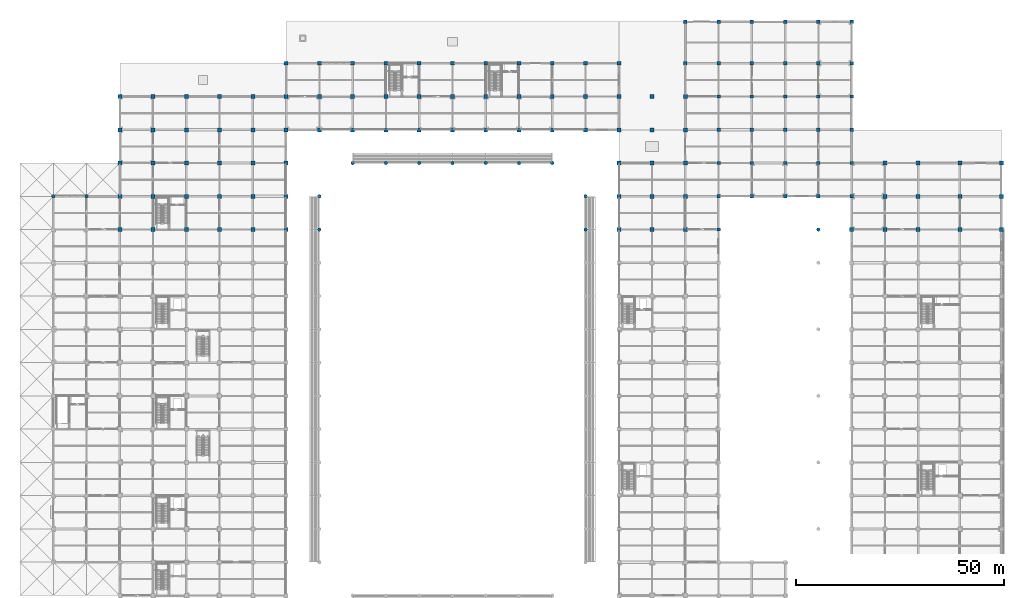
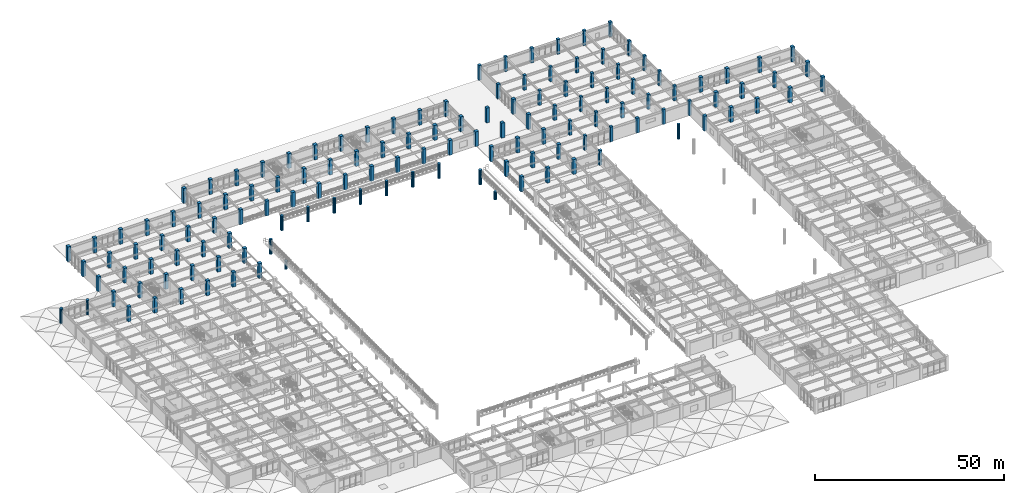
# One storey, part 6 of 109: 134 columns.
"""IFC4 building model written with IfcOpenShell, lengths in metres."""

from ifc_helpers import new_model, si_unit, direction, frame, origin, origin_2d, place, context, subcontext, project, spatial, rectangle, circle, extrude, material, material_profile, profile_set, type_object, element, save


model = new_model("IFC4")

# Units and contexts
model_context = context("Model", 3, precision=1e-05, world=origin(), true_north=direction((0.0, 1.0)))
body_context = subcontext(model_context, "Body", "Model", "MODEL_VIEW")
ifc_project = project(units=[si_unit("LENGTHUNIT", "METRE"), si_unit("AREAUNIT", "SQUARE_METRE"), si_unit("VOLUMEUNIT", "CUBIC_METRE"), si_unit("PLANEANGLEUNIT", "RADIAN"), si_unit("MASSUNIT", "GRAM", prefix="KILO")], contexts=[model_context])

# Site, building, storey
site_placement = place(None, origin())
site = spatial("IfcSite", under=ifc_project, at=site_placement, CompositionType="ELEMENT")
building_placement = place(site_placement, origin())
building = spatial("IfcBuilding", under=site, at=building_placement, Name="Haebicheon Civic Stadium", CompositionType="ELEMENT")
storey_placement = place(building_placement, frame((0.0, 0.0, 9.60009765625)))
storey = spatial("IfcBuildingStorey", under=building, at=storey_placement, Name="L03", CompositionType="ELEMENT", Elevation=9.60009765625)

# Columns
ifc_material_1 = material(Name="Concrete C40/50", Category="concrete")
ifc_material_profile_1 = material_profile(ifc_material_1, rectangle(XDim=0.800048828125, YDim=0.800048828125, at=origin_2d()), Name="RC-COL-800x800")
ifc_profile_set_1 = profile_set([ifc_material_profile_1], Name="Concrete C40/50")
column_type_1 = type_object("IfcColumnType", Name="COL-RC-800", PredefinedType="COLUMN", material=ifc_profile_set_1)
for number, where, z_axis, x_axis, name in (
    (1, (160.0, 168.0, 0.0), (0.0, 0.0, 1.0), (1.0, 0.0, 0.0), "L03 column 21/X"),
    (2, (160.0, 178.0, 0.0), (0.0, 0.0, 1.0), (1.0, 0.0, 0.0), "L03 column 21/Y"),
    (3, (168.0, 128.0, 0.0), (0.0, 0.0, 1.0), (1.0, 0.0, 0.0), "L03 column 22/S"),
    (4, (168.0, 136.0, 0.0), (0.0, 0.0, 1.0), (1.0, 0.0, 0.0), "L03 column 22/T"),
    (5, (168.0, 144.0, 0.0), (0.0, 0.0, 1.0), (1.0, 0.0, 0.0), "L03 column 22/U"),
    (6, (168.0, 152.0, 0.0), (0.0, 0.0, 1.0), (1.0, 0.0, 0.0), "L03 column 22/V"),
    (7, (168.0, 160.0, 0.0), (0.0, 0.0, 1.0), (1.0, 0.0, 0.0), "L03 column 22/W"),
    (8, (168.0, 168.0, 0.0), (0.0, 0.0, 1.0), (1.0, 0.0, 0.0), "L03 column 22/X"),
    (9, (168.0, 178.0, 0.0), (0.0, 0.0, 1.0), (1.0, 0.0, 0.0), "L03 column 22/Y"),
    (10, (176.0, 136.0, 0.0), (0.0, 0.0, 1.0), (1.0, 0.0, 0.0), "L03 column 23/T"),
    (11, (176.0, 144.0, 0.0), (0.0, 0.0, 1.0), (1.0, 0.0, 0.0), "L03 column 23/U"),
    (12, (176.0, 152.0, 0.0), (0.0, 0.0, 1.0), (1.0, 0.0, 0.0), "L03 column 23/V"),
    (13, (176.0, 160.0, 0.0), (0.0, 0.0, 1.0), (1.0, 0.0, 0.0), "L03 column 23/W"),
    (14, (176.0, 168.0, 0.0), (0.0, 0.0, 1.0), (1.0, 0.0, 0.0), "L03 column 23/X"),
    (15, (176.0, 178.0, 0.0), (0.0, 0.0, 1.0), (1.0, 0.0, 0.0), "L03 column 23/Y"),
    (16, (184.0, 136.0, 0.0), (0.0, 0.0, 1.0), (1.0, 0.0, 0.0), "L03 column 24/T"),
    (17, (184.0, 144.0, 0.0), (0.0, 0.0, 1.0), (1.0, 0.0, 0.0), "L03 column 24/U"),
    (18, (184.0, 152.0, 0.0), (0.0, 0.0, 1.0), (1.0, 0.0, 0.0), "L03 column 24/V"),
    (19, (184.0, 160.0, 0.0), (0.0, 0.0, 1.0), (1.0, 0.0, 0.0), "L03 column 24/W"),
    (20, (184.0, 168.0, 0.0), (0.0, 0.0, 1.0), (1.0, 0.0, 0.0), "L03 column 24/X"),
    (21, (184.0, 178.0, 0.0), (0.0, 0.0, 1.0), (1.0, 0.0, 0.0), "L03 column 24/Y"),
    (22, (192.0, 136.0, 0.0), (0.0, 0.0, 1.0), (1.0, 0.0, 0.0), "L03 column 25/T"),
    (23, (192.0, 144.0, 0.0), (0.0, 0.0, 1.0), (1.0, 0.0, 0.0), "L03 column 25/U"),
    (24, (192.0, 152.0, 0.0), (0.0, 0.0, 1.0), (1.0, 0.0, 0.0), "L03 column 25/V"),
    (25, (192.0, 160.0, 0.0), (0.0, 0.0, 1.0), (1.0, 0.0, 0.0), "L03 column 25/W"),
    (26, (192.0, 168.0, 0.0), (0.0, 0.0, 1.0), (1.0, 0.0, 0.0), "L03 column 25/X"),
    (27, (192.0, 178.0, 0.0), (0.0, 0.0, 1.0), (1.0, 0.0, 0.0), "L03 column 25/Y"),
    (28, (200.0, 136.0, 0.0), (0.0, 0.0, 1.0), (1.0, 0.0, 0.0), "L03 column 26/T"),
    (29, (200.0, 144.0, 0.0), (0.0, 0.0, 1.0), (1.0, 0.0, 0.0), "L03 column 26/U"),
    (30, (200.0, 152.0, 0.0), (0.0, 0.0, 1.0), (1.0, 0.0, 0.0), "L03 column 26/V"),
    (31, (200.0, 160.0, 0.0), (0.0, 0.0, 1.0), (1.0, 0.0, 0.0), "L03 column 26/W"),
    (32, (200.0, 168.0, 0.0), (0.0, 0.0, 1.0), (1.0, 0.0, 0.0), "L03 column 26/X"),
    (33, (200.0, 178.0, 0.0), (0.0, 0.0, 1.0), (1.0, 0.0, 0.0), "L03 column 26/Y"),
):
    element("IfcColumn", number, at=place(storey_placement, frame(where, z_axis=z_axis, x_axis=x_axis)), inside=storey, type_object=column_type_1, material=ifc_profile_set_1, Name=name, PredefinedType="COLUMN", context=body_context, shape_type="SweptSolid", body=[
        extrude(rectangle(XDim=0.800048828125, YDim=0.800048828125, at=origin_2d()), origin(), (0.0, 0.0, 1.0), 4.7998046875),
    ])
ifc_material_2 = material(Name="Concrete C40/50", Category="concrete")
ifc_material_profile_2 = material_profile(ifc_material_2, rectangle(XDim=0.949951171875, YDim=0.949951171875, at=origin_2d()), Name="RC-COL-950x950")
ifc_profile_set_2 = profile_set([ifc_material_profile_2], Name="Concrete C40/50")
column_type_2 = type_object("IfcColumnType", Name="COL-RC-950", PredefinedType="COLUMN", material=ifc_profile_set_2)
for number, where, z_axis, x_axis, name in (
    (34, (24.0, 128.0, 0.0), (0.0, 0.0, 1.0), (1.0, 0.0, 0.0), "L03 column 4/S"),
    (35, (24.0, 136.0, 0.0), (0.0, 0.0, 1.0), (1.0, 0.0, 0.0), "L03 column 4/T"),
    (36, (24.0, 144.0, 0.0), (0.0, 0.0, 1.0), (1.0, 0.0, 0.0), "L03 column 4/U"),
    (37, (24.0, 152.0, 0.0), (0.0, 0.0, 1.0), (1.0, 0.0, 0.0), "L03 column 4/V"),
    (38, (24.0, 160.0, 0.0), (0.0, 0.0, 1.0), (1.0, 0.0, 0.0), "L03 column 4/W"),
    (39, (32.0, 128.0, 0.0), (0.0, 0.0, 1.0), (1.0, 0.0, 0.0), "L03 column 5/S"),
    (40, (32.0, 136.0, 0.0), (0.0, 0.0, 1.0), (1.0, 0.0, 0.0), "L03 column 5/T"),
    (41, (32.0, 144.0, 0.0), (0.0, 0.0, 1.0), (1.0, 0.0, 0.0), "L03 column 5/U"),
    (42, (32.0, 152.0, 0.0), (0.0, 0.0, 1.0), (1.0, 0.0, 0.0), "L03 column 5/V"),
    (43, (32.0, 160.0, 0.0), (0.0, 0.0, 1.0), (1.0, 0.0, 0.0), "L03 column 5/W"),
    (44, (40.0, 128.0, 0.0), (0.0, 0.0, 1.0), (1.0, 0.0, 0.0), "L03 column 6/S"),
    (45, (40.0, 136.0, 0.0), (0.0, 0.0, 1.0), (1.0, 0.0, 0.0), "L03 column 6/T"),
    (46, (40.0, 144.0, 0.0), (0.0, 0.0, 1.0), (1.0, 0.0, 0.0), "L03 column 6/U"),
    (47, (40.0, 152.0, 0.0), (0.0, 0.0, 1.0), (1.0, 0.0, 0.0), "L03 column 6/V"),
    (48, (40.0, 160.0, 0.0), (0.0, 0.0, 1.0), (1.0, 0.0, 0.0), "L03 column 6/W"),
    (49, (48.0, 128.0, 0.0), (0.0, 0.0, 1.0), (1.0, 0.0, 0.0), "L03 column 7/S"),
    (50, (48.0, 136.0, 0.0), (0.0, 0.0, 1.0), (1.0, 0.0, 0.0), "L03 column 7/T"),
    (51, (48.0, 144.0, 0.0), (0.0, 0.0, 1.0), (1.0, 0.0, 0.0), "L03 column 7/U"),
    (52, (48.0, 152.0, 0.0), (0.0, 0.0, 1.0), (1.0, 0.0, 0.0), "L03 column 7/V"),
    (53, (48.0, 160.0, 0.0), (0.0, 0.0, 1.0), (1.0, 0.0, 0.0), "L03 column 7/W"),
    (54, (56.0, 128.0, 0.0), (0.0, 0.0, 1.0), (1.0, 0.0, 0.0), "L03 column 8/S"),
    (55, (56.0, 136.0, 0.0), (0.0, 0.0, 1.0), (1.0, 0.0, 0.0), "L03 column 8/T"),
    (56, (56.0, 144.0, 0.0), (0.0, 0.0, 1.0), (1.0, 0.0, 0.0), "L03 column 8/U"),
    (57, (56.0, 152.0, 0.0), (0.0, 0.0, 1.0), (1.0, 0.0, 0.0), "L03 column 8/V"),
    (58, (56.0, 160.0, 0.0), (0.0, 0.0, 1.0), (1.0, 0.0, 0.0), "L03 column 8/W"),
    (59, (64.0, 128.0, 0.0), (0.0, 0.0, 1.0), (1.0, 0.0, 0.0), "L03 column 9/S"),
    (60, (64.0, 136.0, 0.0), (0.0, 0.0, 1.0), (1.0, 0.0, 0.0), "L03 column 9/T"),
    (61, (64.0, 144.0, 0.0), (0.0, 0.0, 1.0), (1.0, 0.0, 0.0), "L03 column 9/U"),
    (62, (64.0, 152.0, 0.0), (0.0, 0.0, 1.0), (1.0, 0.0, 0.0), "L03 column 9/V"),
    (63, (64.0, 160.0, 0.0), (0.0, 0.0, 1.0), (1.0, 0.0, 0.0), "L03 column 9/W"),
    (64, (64.0, 168.0, 0.0), (0.0, 0.0, 1.0), (1.0, 0.0, 0.0), "L03 column 9/X"),
    (65, (72.0, 152.0, 0.0), (0.0, 0.0, 1.0), (1.0, 0.0, 0.0), "L03 column 10/V"),
    (66, (72.0, 160.0, 0.0), (0.0, 0.0, 1.0), (1.0, 0.0, 0.0), "L03 column 10/W"),
    (67, (72.0, 168.0, 0.0), (0.0, 0.0, 1.0), (1.0, 0.0, 0.0), "L03 column 10/X"),
    (68, (80.0, 152.0, 0.0), (0.0, 0.0, 1.0), (1.0, 0.0, 0.0), "L03 column 11/V"),
    (69, (80.0, 160.0, 0.0), (0.0, 0.0, 1.0), (1.0, 0.0, 0.0), "L03 column 11/W"),
    (70, (80.0, 168.0, 0.0), (0.0, 0.0, 1.0), (1.0, 0.0, 0.0), "L03 column 11/X"),
    (71, (88.0, 152.0, 0.0), (0.0, 0.0, 1.0), (1.0, 0.0, 0.0), "L03 column 12/V"),
    (72, (88.0, 160.0, 0.0), (0.0, 0.0, 1.0), (1.0, 0.0, 0.0), "L03 column 12/W"),
    (73, (88.0, 168.0, 0.0), (0.0, 0.0, 1.0), (1.0, 0.0, 0.0), "L03 column 12/X"),
    (74, (96.0, 152.0, 0.0), (0.0, 0.0, 1.0), (1.0, 0.0, 0.0), "L03 column 13/V"),
    (75, (96.0, 160.0, 0.0), (0.0, 0.0, 1.0), (1.0, 0.0, 0.0), "L03 column 13/W"),
    (76, (96.0, 168.0, 0.0), (0.0, 0.0, 1.0), (1.0, 0.0, 0.0), "L03 column 13/X"),
    (77, (104.0, 152.0, 0.0), (0.0, 0.0, 1.0), (1.0, 0.0, 0.0), "L03 column 14/V"),
    (78, (104.0, 160.0, 0.0), (0.0, 0.0, 1.0), (1.0, 0.0, 0.0), "L03 column 14/W"),
    (79, (104.0, 168.0, 0.0), (0.0, 0.0, 1.0), (1.0, 0.0, 0.0), "L03 column 14/X"),
    (80, (112.0, 152.0, 0.0), (0.0, 0.0, 1.0), (1.0, 0.0, 0.0), "L03 column 15/V"),
    (81, (112.0, 160.0, 0.0), (0.0, 0.0, 1.0), (1.0, 0.0, 0.0), "L03 column 15/W"),
    (82, (112.0, 168.0, 0.0), (0.0, 0.0, 1.0), (1.0, 0.0, 0.0), "L03 column 15/X"),
    (83, (120.0, 152.0, 0.0), (0.0, 0.0, 1.0), (1.0, 0.0, 0.0), "L03 column 16/V"),
    (84, (120.0, 160.0, 0.0), (0.0, 0.0, 1.0), (1.0, 0.0, 0.0), "L03 column 16/W"),
    (85, (120.0, 168.0, 0.0), (0.0, 0.0, 1.0), (1.0, 0.0, 0.0), "L03 column 16/X"),
    (86, (128.0, 152.0, 0.0), (0.0, 0.0, 1.0), (1.0, 0.0, 0.0), "L03 column 17/V"),
    (87, (128.0, 160.0, 0.0), (0.0, 0.0, 1.0), (1.0, 0.0, 0.0), "L03 column 17/W"),
    (88, (128.0, 168.0, 0.0), (0.0, 0.0, 1.0), (1.0, 0.0, 0.0), "L03 column 17/X"),
    (89, (136.0, 152.0, 0.0), (0.0, 0.0, 1.0), (1.0, 0.0, 0.0), "L03 column 18/V"),
    (90, (136.0, 160.0, 0.0), (0.0, 0.0, 1.0), (1.0, 0.0, 0.0), "L03 column 18/W"),
    (91, (136.0, 168.0, 0.0), (0.0, 0.0, 1.0), (1.0, 0.0, 0.0), "L03 column 18/X"),
    (92, (144.0, 128.0, 0.0), (0.0, 0.0, 1.0), (1.0, 0.0, 0.0), "L03 column 19/S"),
    (93, (144.0, 136.0, 0.0), (0.0, 0.0, 1.0), (1.0, 0.0, 0.0), "L03 column 19/T"),
    (94, (144.0, 144.0, 0.0), (0.0, 0.0, 1.0), (1.0, 0.0, 0.0), "L03 column 19/U"),
    (95, (144.0, 152.0, 0.0), (0.0, 0.0, 1.0), (1.0, 0.0, 0.0), "L03 column 19/V"),
    (96, (144.0, 160.0, 0.0), (0.0, 0.0, 1.0), (1.0, 0.0, 0.0), "L03 column 19/W"),
    (97, (144.0, 168.0, 0.0), (0.0, 0.0, 1.0), (1.0, 0.0, 0.0), "L03 column 19/X"),
    (98, (152.0, 128.0, 0.0), (0.0, 0.0, 1.0), (1.0, 0.0, 0.0), "L03 column 20/S"),
    (99, (152.0, 136.0, 0.0), (0.0, 0.0, 1.0), (1.0, 0.0, 0.0), "L03 column 20/T"),
    (100, (152.0, 144.0, 0.0), (0.0, 0.0, 1.0), (1.0, 0.0, 0.0), "L03 column 20/U"),
    (101, (152.0, 152.0, 0.0), (0.0, 0.0, 1.0), (1.0, 0.0, 0.0), "L03 column 20/V"),
    (102, (152.0, 160.0, 0.0), (0.0, 0.0, 1.0), (1.0, 0.0, 0.0), "L03 column 20/W"),
    (103, (160.0, 128.0, 0.0), (0.0, 0.0, 1.0), (1.0, 0.0, 0.0), "L03 column 21/S"),
    (104, (160.0, 136.0, 0.0), (0.0, 0.0, 1.0), (1.0, 0.0, 0.0), "L03 column 21/T"),
    (105, (160.0, 144.0, 0.0), (0.0, 0.0, 1.0), (1.0, 0.0, 0.0), "L03 column 21/U"),
    (106, (160.0, 152.0, 0.0), (0.0, 0.0, 1.0), (1.0, 0.0, 0.0), "L03 column 21/V"),
    (107, (160.0, 160.0, 0.0), (0.0, 0.0, 1.0), (1.0, 0.0, 0.0), "L03 column 21/W"),
    (108, (200.0, 128.0, 0.0), (0.0, 0.0, 1.0), (1.0, 0.0, 0.0), "L03 column 26/S"),
    (109, (208.0, 128.0, 0.0), (0.0, 0.0, 1.0), (1.0, 0.0, 0.0), "L03 column 27/S"),
    (110, (208.0, 136.0, 0.0), (0.0, 0.0, 1.0), (1.0, 0.0, 0.0), "L03 column 27/T"),
    (111, (208.0, 144.0, 0.0), (0.0, 0.0, 1.0), (1.0, 0.0, 0.0), "L03 column 27/U"),
    (112, (216.0, 128.0, 0.0), (0.0, 0.0, 1.0), (1.0, 0.0, 0.0), "L03 column 28/S"),
    (113, (216.0, 136.0, 0.0), (0.0, 0.0, 1.0), (1.0, 0.0, 0.0), "L03 column 28/T"),
    (114, (216.0, 144.0, 0.0), (0.0, 0.0, 1.0), (1.0, 0.0, 0.0), "L03 column 28/U"),
    (115, (226.0, 128.0, 0.0), (0.0, 0.0, 1.0), (1.0, 0.0, 0.0), "L03 column 29/S"),
    (116, (226.0, 136.0, 0.0), (0.0, 0.0, 1.0), (1.0, 0.0, 0.0), "L03 column 29/T"),
    (117, (226.0, 144.0, 0.0), (0.0, 0.0, 1.0), (1.0, 0.0, 0.0), "L03 column 29/U"),
    (118, (236.0, 128.0, 0.0), (0.0, 0.0, 1.0), (1.0, 0.0, 0.0), "L03 column 30/S"),
    (119, (236.0, 136.0, 0.0), (0.0, 0.0, 1.0), (1.0, 0.0, 0.0), "L03 column 30/T"),
    (120, (236.0, 144.0, 0.0), (0.0, 0.0, 1.0), (1.0, 0.0, 0.0), "L03 column 30/U"),
):
    element("IfcColumn", number, at=place(storey_placement, frame(where, z_axis=z_axis, x_axis=x_axis)), inside=storey, type_object=column_type_2, material=ifc_profile_set_2, Name=name, PredefinedType="COLUMN", context=body_context, shape_type="SweptSolid", body=[
        extrude(rectangle(XDim=0.949951171875, YDim=0.949951171875, at=origin_2d()), origin(), (0.0, 0.0, 1.0), 4.7998046875),
    ])
ifc_material_3 = material(Name="Concrete C40/50", Category="concrete")
ifc_material_profile_3 = material_profile(ifc_material_3, circle(Radius=0.425048828125, at=origin_2d()), Name="RC-COL-D850")
ifc_profile_set_3 = profile_set([ifc_material_profile_3], Name="Concrete C40/50")
column_type_3 = type_object("IfcColumnType", Name="COL-RC-D850", PredefinedType="COLUMN", material=ifc_profile_set_3)
for number, where, z_axis, x_axis, name in (
    (121, (8.0, 136.0, 0.0), (0.0, 0.0, 1.0), (1.0, 0.0, 0.0), "L03 column 2/T"),
    (122, (16.0, 136.0, 0.0), (0.0, 0.0, 1.0), (1.0, 0.0, 0.0), "L03 column 3/T"),
):
    element("IfcColumn", number, at=place(storey_placement, frame(where, z_axis=z_axis, x_axis=x_axis)), inside=storey, type_object=column_type_3, material=ifc_profile_set_3, Name=name, PredefinedType="COLUMN", context=body_context, shape_type="SweptSolid", body=[
        extrude(circle(Radius=0.425048828125, at=origin_2d()), origin(), (0.0, 0.0, 1.0), 4.7998046875),
    ])
column_1_placement = place(storey_placement, frame((72.0, 128.0, 0.0), z_axis=(0.0, 0.0, 1.0), x_axis=(1.0, 0.0, 0.0)))
element("IfcColumn", 123, at=column_1_placement, inside=storey, type_object=column_type_3, material=ifc_profile_set_3, Name="Bowl/canopy support column 72/128 (L03)", PredefinedType="COLUMN", context=body_context, shape_type="SweptSolid", body=[
    extrude(circle(Radius=0.425048828125, at=origin_2d()), origin(), (0.0, 0.0, 1.0), 2.684814453125),
])
column_2_placement = place(storey_placement, frame((72.0, 136.0, 0.0), z_axis=(0.0, 0.0, 1.0), x_axis=(1.0, 0.0, 0.0)))
element("IfcColumn", 124, at=column_2_placement, inside=storey, type_object=column_type_3, material=ifc_profile_set_3, Name="Bowl/canopy support column 72/136 (L03)", PredefinedType="COLUMN", context=body_context, shape_type="SweptSolid", body=[
    extrude(circle(Radius=0.425048828125, at=origin_2d()), origin(), (0.0, 0.0, 1.0), 4.7998046875),
])
column_3_placement = place(storey_placement, frame((136.0, 128.0, 0.0), z_axis=(0.0, 0.0, 1.0), x_axis=(1.0, 0.0, 0.0)))
element("IfcColumn", 125, at=column_3_placement, inside=storey, type_object=column_type_3, material=ifc_profile_set_3, Name="Bowl/canopy support column 136/128 (L03)", PredefinedType="COLUMN", context=body_context, shape_type="SweptSolid", body=[
    extrude(circle(Radius=0.425048828125, at=origin_2d()), origin(), (0.0, 0.0, 1.0), 2.684814453125),
])
for number, where, z_axis, x_axis, name in (
    (126, (136.0, 136.0, 0.0), (0.0, 0.0, 1.0), (1.0, 0.0, 0.0), "Bowl/canopy support column 136/136 (L03)"),
    (127, (80.0, 144.0, 0.0), (0.0, 0.0, 1.0), (1.0, 0.0, 0.0), "Bowl/canopy support column 80/144 (L03)"),
    (128, (88.0, 144.0, 0.0), (0.0, 0.0, 1.0), (1.0, 0.0, 0.0), "Bowl/canopy support column 88/144 (L03)"),
    (129, (96.0, 144.0, 0.0), (0.0, 0.0, 1.0), (1.0, 0.0, 0.0), "Bowl/canopy support column 96/144 (L03)"),
    (130, (104.0, 144.0, 0.0), (0.0, 0.0, 1.0), (1.0, 0.0, 0.0), "Bowl/canopy support column 104/144 (L03)"),
    (131, (112.0, 144.0, 0.0), (0.0, 0.0, 1.0), (1.0, 0.0, 0.0), "Bowl/canopy support column 112/144 (L03)"),
    (132, (120.0, 144.0, 0.0), (0.0, 0.0, 1.0), (1.0, 0.0, 0.0), "Bowl/canopy support column 120/144 (L03)"),
    (133, (128.0, 144.0, 0.0), (0.0, 0.0, 1.0), (1.0, 0.0, 0.0), "Bowl/canopy support column 128/144 (L03)"),
    (134, (192.0, 128.0, 0.0), (0.0, 0.0, 1.0), (1.0, 0.0, 0.0), "Bowl/canopy support column 192/128 (L03)"),
):
    element("IfcColumn", number, at=place(storey_placement, frame(where, z_axis=z_axis, x_axis=x_axis)), inside=storey, type_object=column_type_3, material=ifc_profile_set_3, Name=name, PredefinedType="COLUMN", context=body_context, shape_type="SweptSolid", body=[
        extrude(circle(Radius=0.425048828125, at=origin_2d()), origin(), (0.0, 0.0, 1.0), 4.7998046875),
    ])

save(model, "model.ifc")
